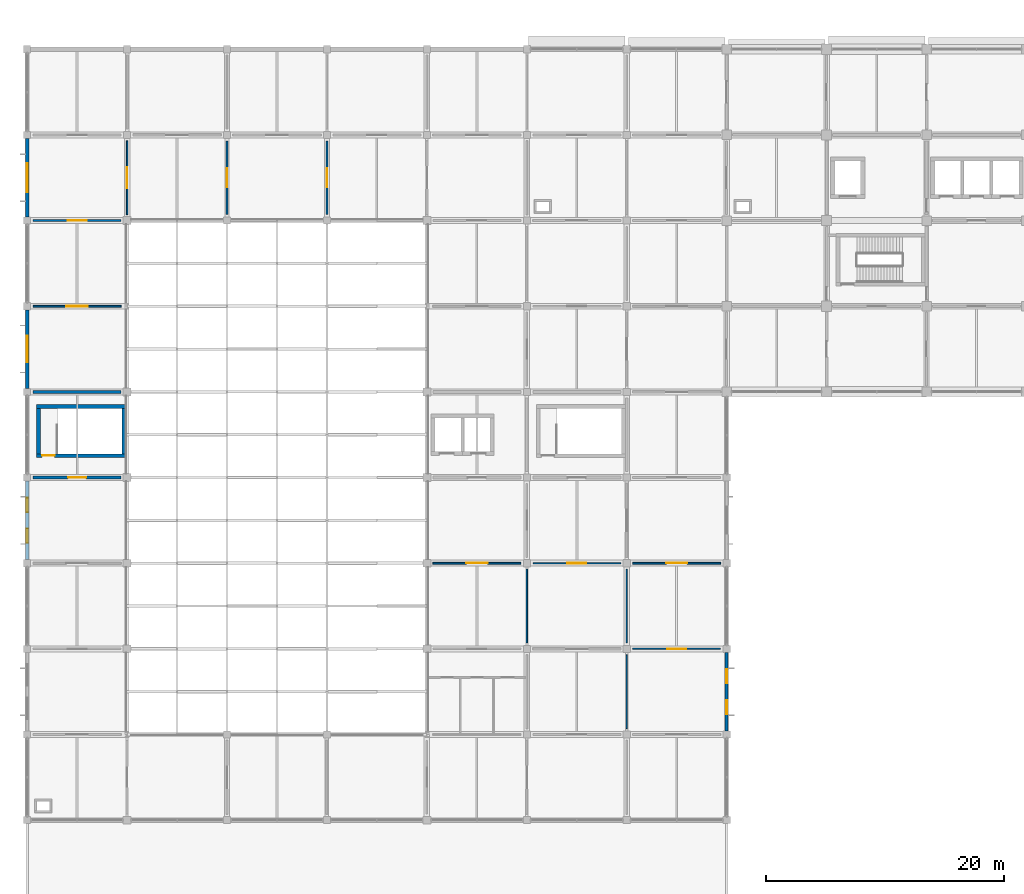
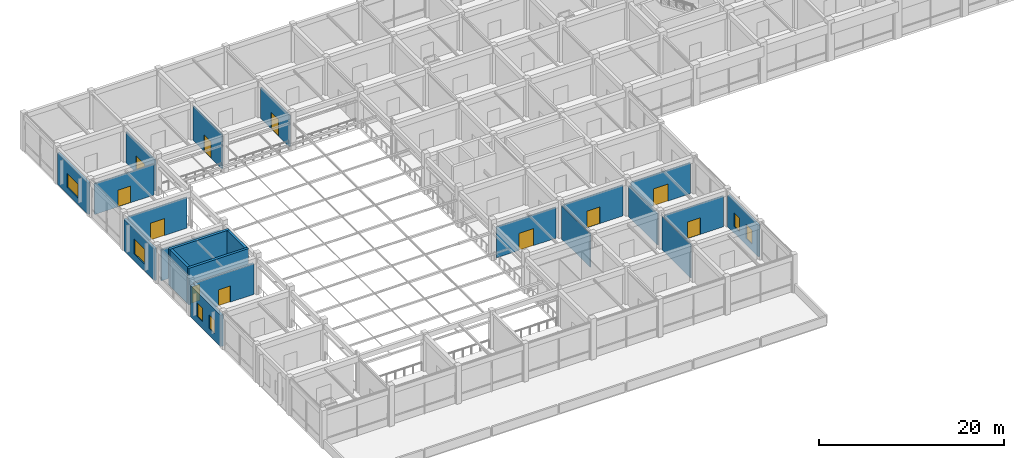
# One storey, part 24 of 38: 22 walls, 11 doors, 6 windows, 17 openings.
"""IFC4 building model written with IfcOpenShell, lengths in metres."""

from ifc_helpers import new_model, si_unit, derived_unit, direction, frame, frame_2d, origin, place, context, subcontext, project, spatial, rectangle, extrude, material, layer, layer_set, type_object, element, fill, save


model = new_model("IFC4")

# Units and contexts
model_context = context("Model", 3, precision=1e-05, world=origin(), true_north=direction((0.0, 1.0)))
body_context = subcontext(model_context, "Body", "Model", "MODEL_VIEW")
ifc_project = project(units=[si_unit("LENGTHUNIT", "METRE"), si_unit("AREAUNIT", "SQUARE_METRE"), si_unit("VOLUMEUNIT", "CUBIC_METRE"), si_unit("PLANEANGLEUNIT", "RADIAN"), si_unit("MASSUNIT", "GRAM", prefix="KILO"), derived_unit("THERMALTRANSMITTANCEUNIT", [(si_unit("MASSUNIT", "GRAM", prefix="KILO"), 1), (si_unit("TIMEUNIT", "SECOND"), -3), (si_unit("THERMODYNAMICTEMPERATUREUNIT", "KELVIN"), -1)])], contexts=[model_context])

# Site, building, storey
site_placement = place(None, origin())
site = spatial("IfcSite", under=ifc_project, at=site_placement, CompositionType="ELEMENT")
building_placement = place(site_placement, origin())
building = spatial("IfcBuilding", under=site, at=building_placement, Name="Veldstrom Oceanarium and Marine Research Institute", CompositionType="ELEMENT")
storey_placement = place(building_placement, frame((0.0, 0.0, 16.800048828125)))
storey = spatial("IfcBuildingStorey", under=building, at=storey_placement, Name="L03", CompositionType="ELEMENT", Elevation=16.800048828125)

# Wall, openings, windows
ifc_material_1 = material(Name="Masonry Cavity Wall", Category="masonry")
ifc_layer_1 = layer(ifc_material_1, 0.31005859375)
ifc_layer_set_1 = layer_set([ifc_layer_1], Name="ARC-WAL-EW1")
wall_type_1 = type_object("IfcWallType", Name="ARC-WAL-EW1", PredefinedType="SOLIDWALL", material=ifc_layer_set_1)
wall_1_placement = place(storey_placement, frame((8.39990234375, 29.10009765625, 0.0), z_axis=(0.0, 0.0, 1.0), x_axis=(0.0, 1.0, 0.0)))
wall_1 = element("IfcWall", 1, at=wall_1_placement, inside=storey, type_object=wall_type_1, Name="Exterior Facade Wall EW1 L03-150", PredefinedType="SOLIDWALL", context=body_context, shape_type="SweptSolid", body=[
    extrude(rectangle(XDim=6.599853515625, YDim=0.31005859375, at=frame_2d((3.2998046875, 0.0))), origin(), (0.0, 0.0, 1.0), 4.169921875),
])
opening_1_placement = place(wall_1_placement, frame((1.39990234375, 0.0, 0.89990234375)))
opening_1 = element("IfcOpeningElement", 2, at=opening_1_placement, cuts=wall_1, Name="Opening W05", PredefinedType="OPENING", context=body_context, shape_type="SweptSolid", body=[
    extrude(rectangle(XDim=1.199951171875, YDim=1.800048828125, at=frame_2d((0.60009765625, 0.89990234375))), frame((0.0, 0.1650390625, 0.0), z_axis=(0.0, -1.0, 0.0), x_axis=(1.0, 0.0, 0.0)), (0.0, 0.0, 1.0), 0.330078125),
])
opening_2_placement = place(wall_1_placement, frame((4.0, 0.0, 0.89990234375)))
opening_2 = element("IfcOpeningElement", 3, at=opening_2_placement, cuts=wall_1, Name="Opening W05", PredefinedType="OPENING", context=body_context, shape_type="SweptSolid", body=[
    extrude(rectangle(XDim=1.199951171875, YDim=1.800048828125, at=frame_2d((0.60009765625, 0.89990234375))), frame((0.0, 0.1650390625, 0.0), z_axis=(0.0, -1.0, 0.0), x_axis=(1.0, 0.0, 0.0)), (0.0, 0.0, 1.0), 0.330078125),
])
ifc_material_2 = material(Name="Double Glazed Low-E IGU", Category="glass")
window_type_1 = type_object("IfcWindowType", Name="ARC-WIN-W05", PartitioningType="SINGLE_PANEL", PredefinedType="WINDOW", material=ifc_material_2)
window_1_placement = place(opening_1_placement, origin())
window_1 = element("IfcWindow", 4, at=window_1_placement, inside=storey, type_object=window_type_1, Name="Facade Window W05 L03-0111", OverallHeight=1.800048828125, OverallWidth=1.199951171875, PartitioningType="SINGLE_PANEL", PredefinedType="WINDOW", context=body_context, shape_type="SweptSolid", body=[
    extrude(rectangle(XDim=1.199951171875, YDim=1.800048828125, at=frame_2d((0.60009765625, 0.89990234375))), frame((0.0, 0.030029296875, 0.0), z_axis=(0.0, -1.0, 0.0), x_axis=(1.0, 0.0, 0.0)), (0.0, 0.0, 1.0), 0.06005859375),
])
fill(opening_1, window_1)
window_2_placement = place(opening_2_placement, origin())
window_2 = element("IfcWindow", 5, at=window_2_placement, inside=storey, type_object=window_type_1, Name="Facade Window W05 L03-0112", OverallHeight=1.800048828125, OverallWidth=1.199951171875, PartitioningType="SINGLE_PANEL", PredefinedType="WINDOW", context=body_context, shape_type="SweptSolid", body=[
    extrude(rectangle(XDim=1.199951171875, YDim=1.800048828125, at=frame_2d((0.60009765625, 0.89990234375))), frame((0.0, 0.030029296875, 0.0), z_axis=(0.0, -1.0, 0.0), x_axis=(1.0, 0.0, 0.0)), (0.0, 0.0, 1.0), 0.06005859375),
])
fill(opening_2, window_2)

# Wall, opening, window
ifc_material_3 = material(Name="Masonry Cavity Wall", Category="masonry")
ifc_layer_2 = layer(ifc_material_3, 0.2900390625)
ifc_layer_set_2 = layer_set([ifc_layer_2], Name="ARC-WAL-EW2")
wall_type_2 = type_object("IfcWallType", Name="ARC-WAL-EW2", PredefinedType="SOLIDWALL", material=ifc_layer_set_2)
wall_2_placement = place(storey_placement, frame((8.39990234375, 43.5, 0.0), z_axis=(0.0, 0.0, 1.0), x_axis=(0.0, 1.0, 0.0)))
wall_2 = element("IfcWall", 6, at=wall_2_placement, inside=storey, type_object=wall_type_2, Name="Exterior Facade Wall EW2 L03-151", PredefinedType="SOLIDWALL", context=body_context, shape_type="SweptSolid", body=[
    extrude(rectangle(XDim=6.60009765625, YDim=0.2900390625, at=frame_2d((3.300048828125, 0.0))), origin(), (0.0, 0.0, 1.0), 4.169921875),
])
opening_3_placement = place(wall_2_placement, frame((2.175048828125, 0.0, 0.89990234375)))
opening_3 = element("IfcOpeningElement", 7, at=opening_3_placement, cuts=wall_2, Name="Opening W21", PredefinedType="OPENING", context=body_context, shape_type="SweptSolid", body=[
    extrude(rectangle(XDim=2.25, YDim=1.949951171875, at=frame_2d((1.125, 0.97509765625))), frame((0.0, 0.155029296875, 0.0), z_axis=(0.0, -1.0, 0.0), x_axis=(1.0, 0.0, 0.0)), (0.0, 0.0, 1.0), 0.31005859375),
])
ifc_material_4 = material(Name="Double Glazed Low-E IGU", Category="glass")
window_type_2 = type_object("IfcWindowType", Name="ARC-WIN-W21", PartitioningType="SINGLE_PANEL", PredefinedType="WINDOW", material=ifc_material_4)
window_3_placement = place(opening_3_placement, origin())
window_3 = element("IfcWindow", 8, at=window_3_placement, inside=storey, type_object=window_type_2, Name="Facade Window W21 L03-0113", OverallHeight=1.949951171875, OverallWidth=2.25, PartitioningType="SINGLE_PANEL", PredefinedType="WINDOW", context=body_context, shape_type="SweptSolid", body=[
    extrude(rectangle(XDim=2.25, YDim=1.949951171875, at=frame_2d((1.125, 0.97509765625))), frame((0.0, 0.030029296875, 0.0), z_axis=(0.0, -1.0, 0.0), x_axis=(1.0, 0.0, 0.0)), (0.0, 0.0, 1.0), 0.06005859375),
])
fill(opening_3, window_3)

ifc_material_5 = material(Name="Masonry Cavity Wall", Category="masonry")
ifc_layer_3 = layer(ifc_material_5, 0.27001953125)
ifc_layer_set_3 = layer_set([ifc_layer_3], Name="ARC-WAL-EW3")
wall_type_3 = type_object("IfcWallType", Name="ARC-WAL-EW3", PredefinedType="SOLIDWALL", material=ifc_layer_set_3)
wall_3_placement = place(storey_placement, frame((8.39990234375, 57.89990234375, 0.0), z_axis=(0.0, 0.0, 1.0), x_axis=(0.0, 1.0, 0.0)))
wall_3 = element("IfcWall", 9, at=wall_3_placement, inside=storey, type_object=wall_type_3, Name="Exterior Facade Wall EW3 L03-152", PredefinedType="SOLIDWALL", context=body_context, shape_type="SweptSolid", body=[
    extrude(rectangle(XDim=6.60009765625, YDim=0.27001953125, at=frame_2d((3.300048828125, 0.0))), origin(), (0.0, 0.0, 1.0), 4.169921875),
])
opening_4_placement = place(wall_3_placement, frame((2.10009765625, 0.0, 0.89990234375)))
opening_4 = element("IfcOpeningElement", 10, at=opening_4_placement, cuts=wall_3, Name="Opening W01", PredefinedType="OPENING", context=body_context, shape_type="SweptSolid", body=[
    extrude(rectangle(XDim=2.39990234375, YDim=1.800048828125, at=frame_2d((1.199951171875, 0.89990234375))), frame((0.0, 0.14501953125, 0.0), z_axis=(0.0, -1.0, 0.0), x_axis=(1.0, 0.0, 0.0)), (0.0, 0.0, 1.0), 0.2900390625),
])
ifc_material_6 = material(Name="Double Glazed Low-E IGU", Category="glass")
window_type_3 = type_object("IfcWindowType", Name="ARC-WIN-W01", PartitioningType="SINGLE_PANEL", PredefinedType="WINDOW", material=ifc_material_6)
window_4_placement = place(opening_4_placement, origin())
window_4 = element("IfcWindow", 11, at=window_4_placement, inside=storey, type_object=window_type_3, Name="Facade Window W01 L03-0114", OverallHeight=1.800048828125, OverallWidth=2.39990234375, PartitioningType="SINGLE_PANEL", PredefinedType="WINDOW", context=body_context, shape_type="SweptSolid", body=[
    extrude(rectangle(XDim=2.39990234375, YDim=1.800048828125, at=frame_2d((1.199951171875, 0.89990234375))), frame((0.0, 0.030029296875, 0.0), z_axis=(0.0, -1.0, 0.0), x_axis=(1.0, 0.0, 0.0)), (0.0, 0.0, 1.0), 0.06005859375),
])
fill(opening_4, window_4)

# Wall, openings, windows
ifc_material_7 = material(Name="Masonry Cavity Wall", Category="masonry")
ifc_layer_4 = layer(ifc_material_7, 0.25)
ifc_layer_set_4 = layer_set([ifc_layer_4], Name="ARC-WAL-EW5")
wall_type_4 = type_object("IfcWallType", Name="ARC-WAL-EW5", PredefinedType="SOLIDWALL", material=ifc_layer_set_4)
wall_4_placement = place(storey_placement, frame((67.199951171875, 14.699951171875, 0.0), z_axis=(0.0, 0.0, 1.0), x_axis=(0.0, 1.0, 0.0)))
wall_4 = element("IfcWall", 12, at=wall_4_placement, inside=storey, type_object=wall_type_4, Name="Exterior Facade Wall EW5 L03-158", PredefinedType="SOLIDWALL", context=body_context, shape_type="SweptSolid", body=[
    extrude(rectangle(XDim=6.60009765625, YDim=0.25, at=frame_2d((3.300048828125, 0.0))), origin(), (0.0, 0.0, 1.0), 4.169921875),
])
opening_5_placement = place(wall_4_placement, frame((1.39990234375, 0.0, 0.89990234375)))
opening_5 = element("IfcOpeningElement", 13, at=opening_5_placement, cuts=wall_4, Name="Opening W05", PredefinedType="OPENING", context=body_context, shape_type="SweptSolid", body=[
    extrude(rectangle(XDim=1.199951171875, YDim=1.800048828125, at=frame_2d((0.60009765625, 0.89990234375))), frame((0.0, 0.135009765625, 0.0), z_axis=(0.0, -1.0, 0.0), x_axis=(1.0, 0.0, 0.0)), (0.0, 0.0, 1.0), 0.27001953125),
])
opening_6_placement = place(wall_4_placement, frame((4.0, 0.0, 0.89990234375)))
opening_6 = element("IfcOpeningElement", 14, at=opening_6_placement, cuts=wall_4, Name="Opening W05", PredefinedType="OPENING", context=body_context, shape_type="SweptSolid", body=[
    extrude(rectangle(XDim=1.199951171875, YDim=1.800048828125, at=frame_2d((0.60009765625, 0.89990234375))), frame((0.0, 0.135009765625, 0.0), z_axis=(0.0, -1.0, 0.0), x_axis=(1.0, 0.0, 0.0)), (0.0, 0.0, 1.0), 0.27001953125),
])
window_5_placement = place(opening_5_placement, origin())
window_5 = element("IfcWindow", 15, at=window_5_placement, inside=storey, type_object=window_type_1, Name="Facade Window W05 L03-0115", OverallHeight=1.800048828125, OverallWidth=1.199951171875, PartitioningType="SINGLE_PANEL", PredefinedType="WINDOW", context=body_context, shape_type="SweptSolid", body=[
    extrude(rectangle(XDim=1.199951171875, YDim=1.800048828125, at=frame_2d((0.60009765625, 0.89990234375))), frame((0.0, 0.030029296875, 0.0), z_axis=(0.0, -1.0, 0.0), x_axis=(1.0, 0.0, 0.0)), (0.0, 0.0, 1.0), 0.06005859375),
])
fill(opening_5, window_5)
window_6_placement = place(opening_6_placement, origin())
window_6 = element("IfcWindow", 16, at=window_6_placement, inside=storey, type_object=window_type_1, Name="Facade Window W05 L03-0116", OverallHeight=1.800048828125, OverallWidth=1.199951171875, PartitioningType="SINGLE_PANEL", PredefinedType="WINDOW", context=body_context, shape_type="SweptSolid", body=[
    extrude(rectangle(XDim=1.199951171875, YDim=1.800048828125, at=frame_2d((0.60009765625, 0.89990234375))), frame((0.0, 0.030029296875, 0.0), z_axis=(0.0, -1.0, 0.0), x_axis=(1.0, 0.0, 0.0)), (0.0, 0.0, 1.0), 0.06005859375),
])
fill(opening_6, window_6)

# Wall, opening, door
ifc_material_8 = material(Name="Masonry Fire Compartment Wall", Category="masonry")
ifc_layer_5 = layer(ifc_material_8, 0.22998046875)
ifc_layer_set_5 = layer_set([ifc_layer_5], Name="ARC-WAL-PT1")
wall_type_5 = type_object("IfcWallType", Name="ARC-WAL-PT1", PredefinedType="PARTITIONING", material=ifc_layer_set_5)
wall_5_placement = place(storey_placement, frame((8.89990234375, 36.0, 0.0), z_axis=(0.0, 0.0, 1.0), x_axis=(1.0, 0.0, 0.0)))
wall_5 = element("IfcWall", 17, at=wall_5_placement, inside=storey, type_object=wall_type_5, Name="Interior Partition PT1 L03-1259", PredefinedType="PARTITIONING", context=body_context, shape_type="SweptSolid", body=[
    extrude(rectangle(XDim=7.400146484375, YDim=0.22998046875, at=frame_2d((3.7001953125, 0.0))), origin(), (0.0, 0.0, 1.0), 4.070068359375),
])
opening_7_placement = place(wall_5_placement, frame((2.949951171875, 0.0, 0.0)))
opening_7 = element("IfcOpeningElement", 18, at=opening_7_placement, cuts=wall_5, Name="Opening D-L03-739", PredefinedType="OPENING", context=body_context, shape_type="SweptSolid", body=[
    extrude(rectangle(XDim=1.5, YDim=2.14990234375, at=frame_2d((0.75, 1.074951171875))), frame((0.0, 0.125, 0.0), z_axis=(0.0, -1.0, 0.0), x_axis=(1.0, 0.0, 0.0)), (0.0, 0.0, 1.0), 0.25),
])
ifc_material_9 = material(Name="Painted Steel Lobby Fire Door", Category="steel")
door_type_1 = type_object("IfcDoorType", Name="ARC-DOR-SD2", OperationType="DOUBLE_DOOR_SINGLE_SWING", PredefinedType="DOOR", material=ifc_material_9)
door_1_placement = place(opening_7_placement, frame((1.5, 0.0, 0.0), z_axis=(0.0, 0.0, 1.0), x_axis=(-1.0, 0.0, 0.0)))
door_1 = element("IfcDoor", 19, at=door_1_placement, inside=storey, type_object=door_type_1, Name="Interior Door D-L03-739", OperationType="DOUBLE_DOOR_SINGLE_SWING", OverallHeight=2.14990234375, OverallWidth=1.5, PredefinedType="DOOR", context=body_context, shape_type="SweptSolid", body=[
    extrude(rectangle(XDim=1.5, YDim=2.14990234375, at=frame_2d((0.75, 1.074951171875))), frame((0.0, 0.02490234375, 0.0), z_axis=(0.0, -1.0, 0.0), x_axis=(1.0, 0.0, 0.0)), (0.0, 0.0, 1.0), 0.050048828125),
])
fill(opening_7, door_1)

# Wall
wall_6_placement = place(storey_placement, frame((8.89990234375, 43.199951171875, 0.0), z_axis=(0.0, 0.0, 1.0), x_axis=(1.0, 0.0, 0.0)))
element("IfcWall", 20, at=wall_6_placement, inside=storey, type_object=wall_type_5, Name="Interior Partition PT1 L03-1260", PredefinedType="PARTITIONING", context=body_context, shape_type="SweptSolid", body=[
    extrude(rectangle(XDim=7.400146484375, YDim=0.22998046875, at=frame_2d((3.7001953125, 0.0))), origin(), (0.0, 0.0, 1.0), 4.070068359375),
])

# Wall, opening, door
ifc_material_10 = material(Name="Drywall Corridor Partition", Category="gypsum")
ifc_layer_6 = layer(ifc_material_10, 0.155029296875)
ifc_layer_set_6 = layer_set([ifc_layer_6], Name="ARC-WAL-PT4")
wall_type_6 = type_object("IfcWallType", Name="ARC-WAL-PT4", PredefinedType="PARTITIONING", material=ifc_layer_set_6)
wall_7_placement = place(storey_placement, frame((8.89990234375, 57.60009765625, 0.0), z_axis=(0.0, 0.0, 1.0), x_axis=(1.0, 0.0, 0.0)))
wall_7 = element("IfcWall", 21, at=wall_7_placement, inside=storey, type_object=wall_type_6, Name="Interior Partition PT4 L03-1262", PredefinedType="PARTITIONING", context=body_context, shape_type="SweptSolid", body=[
    extrude(rectangle(XDim=7.400146484375, YDim=0.155029296875, at=frame_2d((3.7001953125, 0.0))), origin(), (0.0, 0.0, 1.0), 4.070068359375),
])
opening_8_placement = place(wall_7_placement, frame((2.89990234375, 0.0, 0.0)))
opening_8 = element("IfcOpeningElement", 22, at=opening_8_placement, cuts=wall_7, Name="Opening D-L03-741", PredefinedType="OPENING", context=body_context, shape_type="SweptSolid", body=[
    extrude(rectangle(XDim=1.60009765625, YDim=2.199951171875, at=frame_2d((0.800048828125, 1.10009765625))), frame((0.0, 0.08740234375, 0.0), z_axis=(0.0, -1.0, 0.0), x_axis=(1.0, 0.0, 0.0)), (0.0, 0.0, 1.0), 0.175048828125),
])
ifc_material_11 = material(Name="Acoustic Timber Corridor Door", Category="wood")
door_type_2 = type_object("IfcDoorType", Name="ARC-DOR-ID02", OperationType="DOUBLE_DOOR_SINGLE_SWING", PredefinedType="DOOR", material=ifc_material_11)
door_2_placement = place(opening_8_placement, frame((1.60009765625, 0.0, 0.0), z_axis=(0.0, 0.0, 1.0), x_axis=(-1.0, 0.0, 0.0)))
door_2 = element("IfcDoor", 23, at=door_2_placement, inside=storey, type_object=door_type_2, Name="Interior Door D-L03-741", OperationType="DOUBLE_DOOR_SINGLE_SWING", OverallHeight=2.199951171875, OverallWidth=1.60009765625, PredefinedType="DOOR", context=body_context, shape_type="SweptSolid", body=[
    extrude(rectangle(XDim=1.60009765625, YDim=2.199951171875, at=frame_2d((0.800048828125, 1.10009765625))), frame((0.0, 0.02490234375, 0.0), z_axis=(0.0, -1.0, 0.0), x_axis=(1.0, 0.0, 0.0)), (0.0, 0.0, 1.0), 0.050048828125),
])
fill(opening_8, door_2)

wall_8_placement = place(storey_placement, frame((25.199951171875, 58.10009765625, 0.0), z_axis=(0.0, 0.0, 1.0), x_axis=(0.0, 1.0, 0.0)))
wall_8 = element("IfcWall", 24, at=wall_8_placement, inside=storey, type_object=wall_type_6, Name="Interior Partition PT4 L03-1267", PredefinedType="PARTITIONING", context=body_context, shape_type="SweptSolid", body=[
    extrude(rectangle(XDim=6.199951171875, YDim=0.155029296875, at=frame_2d((3.10009765625, 0.0))), origin(), (0.0, 0.0, 1.0), 4.530029296875),
])
opening_9_placement = place(wall_8_placement, frame((2.300048828125, 0.0, 0.0)))
opening_9 = element("IfcOpeningElement", 25, at=opening_9_placement, cuts=wall_8, Name="Opening D-L03-745", PredefinedType="OPENING", context=body_context, shape_type="SweptSolid", body=[
    extrude(rectangle(XDim=1.60009765625, YDim=2.199951171875, at=frame_2d((0.800048828125, 1.10009765625))), frame((0.0, 0.08740234375, 0.0), z_axis=(0.0, -1.0, 0.0), x_axis=(1.0, 0.0, 0.0)), (0.0, 0.0, 1.0), 0.175048828125),
])
door_3_placement = place(opening_9_placement, origin())
door_3 = element("IfcDoor", 26, at=door_3_placement, inside=storey, type_object=door_type_2, Name="Interior Door D-L03-745", OperationType="DOUBLE_DOOR_SINGLE_SWING", OverallHeight=2.199951171875, OverallWidth=1.60009765625, PredefinedType="DOOR", context=body_context, shape_type="SweptSolid", body=[
    extrude(rectangle(XDim=1.60009765625, YDim=2.199951171875, at=frame_2d((0.800048828125, 1.10009765625))), frame((0.0, 0.02490234375, 0.0), z_axis=(0.0, -1.0, 0.0), x_axis=(1.0, 0.0, 0.0)), (0.0, 0.0, 1.0), 0.050048828125),
])
fill(opening_9, door_3)

wall_9_placement = place(storey_placement, frame((42.5, 28.800048828125, 0.0), z_axis=(0.0, 0.0, 1.0), x_axis=(1.0, 0.0, 0.0)))
wall_9 = element("IfcWall", 27, at=wall_9_placement, inside=storey, type_object=wall_type_6, Name="Interior Partition PT4 L03-1283", PredefinedType="PARTITIONING", context=body_context, shape_type="SweptSolid", body=[
    extrude(rectangle(XDim=7.39990234375, YDim=0.155029296875, at=frame_2d((3.699951171875, 0.0))), origin(), (0.0, 0.0, 1.0), 4.070068359375),
])
opening_10_placement = place(wall_9_placement, frame((2.800048828125, 0.0, 0.0)))
opening_10 = element("IfcOpeningElement", 28, at=opening_10_placement, cuts=wall_9, Name="Opening D-L03-754", PredefinedType="OPENING", context=body_context, shape_type="SweptSolid", body=[
    extrude(rectangle(XDim=1.800048828125, YDim=2.25, at=frame_2d((0.89990234375, 1.125))), frame((0.0, 0.08740234375, 0.0), z_axis=(0.0, -1.0, 0.0), x_axis=(1.0, 0.0, 0.0)), (0.0, 0.0, 1.0), 0.175048828125),
])
ifc_material_12 = material(Name="Acoustic Timber Gallery Door", Category="wood")
door_type_3 = type_object("IfcDoorType", Name="ARC-DOR-ID01", OperationType="DOUBLE_DOOR_SINGLE_SWING", PredefinedType="DOOR", material=ifc_material_12)
door_4_placement = place(opening_10_placement, frame((1.800048828125, 0.0, 0.0), z_axis=(0.0, 0.0, 1.0), x_axis=(-1.0, 0.0, 0.0)))
door_4 = element("IfcDoor", 29, at=door_4_placement, inside=storey, type_object=door_type_3, Name="Interior Door D-L03-754", OperationType="DOUBLE_DOOR_SINGLE_SWING", OverallHeight=2.25, OverallWidth=1.800048828125, PredefinedType="DOOR", context=body_context, shape_type="SweptSolid", body=[
    extrude(rectangle(XDim=1.800048828125, YDim=2.25, at=frame_2d((0.89990234375, 1.125))), frame((0.0, 0.02490234375, 0.0), z_axis=(0.0, -1.0, 0.0), x_axis=(1.0, 0.0, 0.0)), (0.0, 0.0, 1.0), 0.050048828125),
])
fill(opening_10, door_4)

wall_10_placement = place(storey_placement, frame((59.300048828125, 28.800048828125, 0.0), z_axis=(0.0, 0.0, 1.0), x_axis=(1.0, 0.0, 0.0)))
wall_10 = element("IfcWall", 30, at=wall_10_placement, inside=storey, type_object=wall_type_6, Name="Interior Partition PT4 L03-1314", PredefinedType="PARTITIONING", context=body_context, shape_type="SweptSolid", body=[
    extrude(rectangle(XDim=7.39990234375, YDim=0.155029296875, at=frame_2d((3.699951171875, 0.0))), origin(), (0.0, 0.0, 1.0), 4.070068359375),
])
opening_11_placement = place(wall_10_placement, frame((2.800048828125, 0.0, 0.0)))
opening_11 = element("IfcOpeningElement", 31, at=opening_11_placement, cuts=wall_10, Name="Opening D-L03-772", PredefinedType="OPENING", context=body_context, shape_type="SweptSolid", body=[
    extrude(rectangle(XDim=1.800048828125, YDim=2.25, at=frame_2d((0.89990234375, 1.125))), frame((0.0, 0.08740234375, 0.0), z_axis=(0.0, -1.0, 0.0), x_axis=(1.0, 0.0, 0.0)), (0.0, 0.0, 1.0), 0.175048828125),
])
door_5_placement = place(opening_11_placement, frame((1.800048828125, 0.0, 0.0), z_axis=(0.0, 0.0, 1.0), x_axis=(-1.0, 0.0, 0.0)))
door_5 = element("IfcDoor", 32, at=door_5_placement, inside=storey, type_object=door_type_3, Name="Interior Door D-L03-772", OperationType="DOUBLE_DOOR_SINGLE_SWING", OverallHeight=2.25, OverallWidth=1.800048828125, PredefinedType="DOOR", context=body_context, shape_type="SweptSolid", body=[
    extrude(rectangle(XDim=1.800048828125, YDim=2.25, at=frame_2d((0.89990234375, 1.125))), frame((0.0, 0.02490234375, 0.0), z_axis=(0.0, -1.0, 0.0), x_axis=(1.0, 0.0, 0.0)), (0.0, 0.0, 1.0), 0.050048828125),
])
fill(opening_11, door_5)

ifc_material_13 = material(Name="Moisture-Resistant Wet-Area Partition", Category="masonry")
ifc_layer_7 = layer(ifc_material_13, 0.139892578125)
ifc_layer_set_7 = layer_set([ifc_layer_7], Name="ARC-WAL-PT5")
wall_type_7 = type_object("IfcWallType", Name="ARC-WAL-PT5", PredefinedType="PARTITIONING", material=ifc_layer_set_7)
wall_11_placement = place(storey_placement, frame((8.89990234375, 50.39990234375, 0.0), z_axis=(0.0, 0.0, 1.0), x_axis=(1.0, 0.0, 0.0)))
wall_11 = element("IfcWall", 33, at=wall_11_placement, inside=storey, type_object=wall_type_7, Name="Interior Partition PT5 L03-1261", PredefinedType="PARTITIONING", context=body_context, shape_type="SweptSolid", body=[
    extrude(rectangle(XDim=7.400146484375, YDim=0.139892578125, at=frame_2d((3.7001953125, 0.0))), origin(), (0.0, 0.0, 1.0), 4.070068359375),
])
opening_12_placement = place(wall_11_placement, frame((2.800048828125, 0.0, 0.0)))
opening_12 = element("IfcOpeningElement", 34, at=opening_12_placement, cuts=wall_11, Name="Opening D-L03-740", PredefinedType="OPENING", context=body_context, shape_type="SweptSolid", body=[
    extrude(rectangle(XDim=1.800048828125, YDim=2.25, at=frame_2d((0.89990234375, 1.125))), frame((0.0, 0.079833984375, 0.0), z_axis=(0.0, -1.0, 0.0), x_axis=(1.0, 0.0, 0.0)), (0.0, 0.0, 1.0), 0.159912109375),
])
door_6_placement = place(opening_12_placement, origin())
door_6 = element("IfcDoor", 35, at=door_6_placement, inside=storey, type_object=door_type_3, Name="Interior Door D-L03-740", OperationType="DOUBLE_DOOR_SINGLE_SWING", OverallHeight=2.25, OverallWidth=1.800048828125, PredefinedType="DOOR", context=body_context, shape_type="SweptSolid", body=[
    extrude(rectangle(XDim=1.800048828125, YDim=2.25, at=frame_2d((0.89990234375, 1.125))), frame((0.0, 0.02490234375, 0.0), z_axis=(0.0, -1.0, 0.0), x_axis=(1.0, 0.0, 0.0)), (0.0, 0.0, 1.0), 0.050048828125),
])
fill(opening_12, door_6)

wall_12_placement = place(storey_placement, frame((16.800048828125, 58.10009765625, 0.0), z_axis=(0.0, 0.0, 1.0), x_axis=(0.0, 1.0, 0.0)))
wall_12 = element("IfcWall", 36, at=wall_12_placement, inside=storey, type_object=wall_type_7, Name="Interior Partition PT5 L03-1263", PredefinedType="PARTITIONING", context=body_context, shape_type="SweptSolid", body=[
    extrude(rectangle(XDim=6.199951171875, YDim=0.139892578125, at=frame_2d((3.10009765625, 0.0))), origin(), (0.0, 0.0, 1.0), 4.119873046875),
])
opening_13_placement = place(wall_12_placement, frame((2.199951171875, 0.0, 0.0)))
opening_13 = element("IfcOpeningElement", 37, at=opening_13_placement, cuts=wall_12, Name="Opening D-L03-742", PredefinedType="OPENING", context=body_context, shape_type="SweptSolid", body=[
    extrude(rectangle(XDim=1.800048828125, YDim=2.25, at=frame_2d((0.89990234375, 1.125))), frame((0.0, 0.079833984375, 0.0), z_axis=(0.0, -1.0, 0.0), x_axis=(1.0, 0.0, 0.0)), (0.0, 0.0, 1.0), 0.159912109375),
])
door_7_placement = place(opening_13_placement, frame((1.800048828125, 0.0, 0.0), z_axis=(0.0, 0.0, 1.0), x_axis=(-1.0, 0.0, 0.0)))
door_7 = element("IfcDoor", 38, at=door_7_placement, inside=storey, type_object=door_type_3, Name="Interior Door D-L03-742", OperationType="DOUBLE_DOOR_SINGLE_SWING", OverallHeight=2.25, OverallWidth=1.800048828125, PredefinedType="DOOR", context=body_context, shape_type="SweptSolid", body=[
    extrude(rectangle(XDim=1.800048828125, YDim=2.25, at=frame_2d((0.89990234375, 1.125))), frame((0.0, 0.02490234375, 0.0), z_axis=(0.0, -1.0, 0.0), x_axis=(1.0, 0.0, 0.0)), (0.0, 0.0, 1.0), 0.050048828125),
])
fill(opening_13, door_7)

wall_13_placement = place(storey_placement, frame((33.60009765625, 58.10009765625, 0.0), z_axis=(0.0, 0.0, 1.0), x_axis=(0.0, 1.0, 0.0)))
wall_13 = element("IfcWall", 39, at=wall_13_placement, inside=storey, type_object=wall_type_7, Name="Interior Partition PT5 L03-1271", PredefinedType="PARTITIONING", context=body_context, shape_type="SweptSolid", body=[
    extrude(rectangle(XDim=6.199951171875, YDim=0.139892578125, at=frame_2d((3.10009765625, 0.0))), origin(), (0.0, 0.0, 1.0), 4.119873046875),
])
opening_14_placement = place(wall_13_placement, frame((2.300048828125, 0.0, 0.0)))
opening_14 = element("IfcOpeningElement", 40, at=opening_14_placement, cuts=wall_13, Name="Opening D-L03-747", PredefinedType="OPENING", context=body_context, shape_type="SweptSolid", body=[
    extrude(rectangle(XDim=1.60009765625, YDim=2.199951171875, at=frame_2d((0.800048828125, 1.10009765625))), frame((0.0, 0.079833984375, 0.0), z_axis=(0.0, -1.0, 0.0), x_axis=(1.0, 0.0, 0.0)), (0.0, 0.0, 1.0), 0.159912109375),
])
door_8_placement = place(opening_14_placement, frame((1.60009765625, 0.0, 0.0), z_axis=(0.0, 0.0, 1.0), x_axis=(-1.0, 0.0, 0.0)))
door_8 = element("IfcDoor", 41, at=door_8_placement, inside=storey, type_object=door_type_2, Name="Interior Door D-L03-747", OperationType="DOUBLE_DOOR_SINGLE_SWING", OverallHeight=2.199951171875, OverallWidth=1.60009765625, PredefinedType="DOOR", context=body_context, shape_type="SweptSolid", body=[
    extrude(rectangle(XDim=1.60009765625, YDim=2.199951171875, at=frame_2d((0.800048828125, 1.10009765625))), frame((0.0, 0.02490234375, 0.0), z_axis=(0.0, -1.0, 0.0), x_axis=(1.0, 0.0, 0.0)), (0.0, 0.0, 1.0), 0.050048828125),
])
fill(opening_14, door_8)

wall_14_placement = place(storey_placement, frame((50.89990234375, 28.800048828125, 0.0), z_axis=(0.0, 0.0, 1.0), x_axis=(1.0, 0.0, 0.0)))
wall_14 = element("IfcWall", 42, at=wall_14_placement, inside=storey, type_object=wall_type_7, Name="Interior Partition PT5 L03-1300", PredefinedType="PARTITIONING", context=body_context, shape_type="SweptSolid", body=[
    extrude(rectangle(XDim=7.400146484375, YDim=0.139892578125, at=frame_2d((3.7001953125, 0.0))), origin(), (0.0, 0.0, 1.0), 4.070068359375),
])
opening_15_placement = place(wall_14_placement, frame((2.89990234375, 0.0, 0.0)))
opening_15 = element("IfcOpeningElement", 43, at=opening_15_placement, cuts=wall_14, Name="Opening D-L03-763", PredefinedType="OPENING", context=body_context, shape_type="SweptSolid", body=[
    extrude(rectangle(XDim=1.60009765625, YDim=2.199951171875, at=frame_2d((0.800048828125, 1.10009765625))), frame((0.0, 0.079833984375, 0.0), z_axis=(0.0, -1.0, 0.0), x_axis=(1.0, 0.0, 0.0)), (0.0, 0.0, 1.0), 0.159912109375),
])
door_9_placement = place(opening_15_placement, origin())
door_9 = element("IfcDoor", 44, at=door_9_placement, inside=storey, type_object=door_type_2, Name="Interior Door D-L03-763", OperationType="DOUBLE_DOOR_SINGLE_SWING", OverallHeight=2.199951171875, OverallWidth=1.60009765625, PredefinedType="DOOR", context=body_context, shape_type="SweptSolid", body=[
    extrude(rectangle(XDim=1.60009765625, YDim=2.199951171875, at=frame_2d((0.800048828125, 1.10009765625))), frame((0.0, 0.02490234375, 0.0), z_axis=(0.0, -1.0, 0.0), x_axis=(1.0, 0.0, 0.0)), (0.0, 0.0, 1.0), 0.050048828125),
])
fill(opening_15, door_9)

wall_15_placement = place(storey_placement, frame((59.300048828125, 21.60009765625, 0.0), z_axis=(0.0, 0.0, 1.0), x_axis=(1.0, 0.0, 0.0)))
wall_15 = element("IfcWall", 45, at=wall_15_placement, inside=storey, type_object=wall_type_7, Name="Interior Partition PT5 L03-1313", PredefinedType="PARTITIONING", context=body_context, shape_type="SweptSolid", body=[
    extrude(rectangle(XDim=7.39990234375, YDim=0.139892578125, at=frame_2d((3.699951171875, 0.0))), origin(), (0.0, 0.0, 1.0), 4.070068359375),
])
opening_16_placement = place(wall_15_placement, frame((2.89990234375, 0.0, 0.0)))
opening_16 = element("IfcOpeningElement", 46, at=opening_16_placement, cuts=wall_15, Name="Opening D-L03-771", PredefinedType="OPENING", context=body_context, shape_type="SweptSolid", body=[
    extrude(rectangle(XDim=1.60009765625, YDim=2.199951171875, at=frame_2d((0.800048828125, 1.10009765625))), frame((0.0, 0.079833984375, 0.0), z_axis=(0.0, -1.0, 0.0), x_axis=(1.0, 0.0, 0.0)), (0.0, 0.0, 1.0), 0.159912109375),
])
door_10_placement = place(opening_16_placement, origin())
door_10 = element("IfcDoor", 47, at=door_10_placement, inside=storey, type_object=door_type_2, Name="Interior Door D-L03-771", OperationType="DOUBLE_DOOR_SINGLE_SWING", OverallHeight=2.199951171875, OverallWidth=1.60009765625, PredefinedType="DOOR", context=body_context, shape_type="SweptSolid", body=[
    extrude(rectangle(XDim=1.60009765625, YDim=2.199951171875, at=frame_2d((0.800048828125, 1.10009765625))), frame((0.0, 0.02490234375, 0.0), z_axis=(0.0, -1.0, 0.0), x_axis=(1.0, 0.0, 0.0)), (0.0, 0.0, 1.0), 0.050048828125),
])
fill(opening_16, door_10)

# Walls
ifc_material_14 = material(Name="Lightweight Studio Partition", Category="gypsum")
ifc_layer_8 = layer(ifc_material_14, 0.1201171875)
ifc_layer_set_8 = layer_set([ifc_layer_8], Name="ARC-WAL-PT6")
wall_type_8 = type_object("IfcWallType", Name="ARC-WAL-PT6", PredefinedType="PARTITIONING", material=ifc_layer_set_8)
wall_16_placement = place(storey_placement, frame((50.39990234375, 22.10009765625, 0.0), z_axis=(0.0, 0.0, 1.0), x_axis=(0.0, 1.0, 0.0)))
element("IfcWall", 48, at=wall_16_placement, inside=storey, type_object=wall_type_8, Name="Interior Partition PT6 L03-1282", PredefinedType="PARTITIONING", context=body_context, shape_type="SweptSolid", body=[
    extrude(rectangle(XDim=6.199951171875, YDim=0.1201171875, at=frame_2d((3.10009765625, 0.0))), origin(), (0.0, 0.0, 1.0), 4.419921875),
])
wall_17_placement = place(storey_placement, frame((58.800048828125, 14.89990234375, 0.0), z_axis=(0.0, 0.0, 1.0), x_axis=(0.0, 1.0, 0.0)))
element("IfcWall", 49, at=wall_17_placement, inside=storey, type_object=wall_type_8, Name="Interior Partition PT6 L03-1297", PredefinedType="PARTITIONING", context=body_context, shape_type="SweptSolid", body=[
    extrude(rectangle(XDim=6.2001953125, YDim=0.1201171875, at=frame_2d((3.10009765625, 0.0))), origin(), (0.0, 0.0, 1.0), 4.419921875),
])
wall_18_placement = place(storey_placement, frame((58.800048828125, 22.10009765625, 0.0), z_axis=(0.0, 0.0, 1.0), x_axis=(0.0, 1.0, 0.0)))
element("IfcWall", 50, at=wall_18_placement, inside=storey, type_object=wall_type_8, Name="Interior Partition PT6 L03-1299", PredefinedType="PARTITIONING", context=body_context, shape_type="SweptSolid", body=[
    extrude(rectangle(XDim=6.199951171875, YDim=0.1201171875, at=frame_2d((3.10009765625, 0.0))), origin(), (0.0, 0.0, 1.0), 4.119873046875),
])

# Wall, opening, door
ifc_material_15 = material(Name="Concrete C40/50", Category="concrete")
ifc_layer_9 = layer(ifc_material_15, 0.320068359375)
ifc_layer_set_9 = layer_set([ifc_layer_9], Name="STR-WAL-WC3")
wall_type_9 = type_object("IfcWallType", Name="STR-WAL-WC3", PredefinedType="SHEAR", material=ifc_layer_set_9)
wall_19_placement = place(storey_placement, frame((9.199951171875, 37.840087890625, 0.0), z_axis=(0.0, 0.0, 1.0), x_axis=(1.0, 0.0, 0.0)))
wall_19 = element("IfcWall", 51, at=wall_19_placement, inside=storey, type_object=wall_type_9, Name="Stair Core Shear Wall SC3-L03-S", PredefinedType="SHEAR", context=body_context, shape_type="SweptSolid", body=[
    extrude(rectangle(XDim=7.47998046875, YDim=0.320068359375, at=frame_2d((3.739990234375, 0.0))), origin(), (0.0, 0.0, 1.0), 4.824951171875),
])
opening_17_placement = place(wall_19_placement, frame((0.449951171875, 0.0, 0.0)))
opening_17 = element("IfcOpeningElement", 52, at=opening_17_placement, cuts=wall_19, Name="Opening D-ST3-L03", PredefinedType="OPENING", context=body_context, shape_type="SweptSolid", body=[
    extrude(rectangle(XDim=1.050048828125, YDim=2.14990234375, at=frame_2d((0.52490234375, 1.074951171875))), frame((0.0, 0.169921875, 0.0), z_axis=(0.0, -1.0, 0.0), x_axis=(1.0, 0.0, 0.0)), (0.0, 0.0, 1.0), 0.340087890625),
])
ifc_material_16 = material(Name="Painted Steel Fire Door", Category="steel")
door_type_4 = type_object("IfcDoorType", Name="ARC-DOR-SD1", OperationType="SINGLE_SWING_LEFT", PredefinedType="DOOR", material=ifc_material_16)
door_11_placement = place(opening_17_placement, origin())
door_11 = element("IfcDoor", 53, at=door_11_placement, inside=storey, type_object=door_type_4, Name="Escape Stair Fire Door D-ST3-L03", OperationType="SINGLE_SWING_LEFT", OverallHeight=2.14990234375, OverallWidth=1.050048828125, PredefinedType="DOOR", context=body_context, shape_type="SweptSolid", body=[
    extrude(rectangle(XDim=1.050048828125, YDim=2.14990234375, at=frame_2d((0.52490234375, 1.074951171875))), frame((0.0, 0.02490234375, 0.0), z_axis=(0.0, -1.0, 0.0), x_axis=(1.0, 0.0, 0.0)), (0.0, 0.0, 1.0), 0.050048828125),
])
fill(opening_17, door_11)

# Walls
wall_20_placement = place(storey_placement, frame((9.199951171875, 41.9599609375, 0.0), z_axis=(0.0, 0.0, 1.0), x_axis=(1.0, 0.0, 0.0)))
element("IfcWall", 54, at=wall_20_placement, inside=storey, type_object=wall_type_9, Name="Stair Core Shear Wall SC3-L03-N", PredefinedType="SHEAR", context=body_context, shape_type="SweptSolid", body=[
    extrude(rectangle(XDim=7.47998046875, YDim=0.320068359375, at=frame_2d((3.739990234375, 0.0))), origin(), (0.0, 0.0, 1.0), 4.824951171875),
])
for number, where, z_axis, x_axis, name in (
    (55, (9.360107421875, 38.0, 0.0), (0.0, 0.0, 1.0), (0.0, 1.0, 0.0), "Stair Core Shear Wall SC3-L03-W"),
    (56, (16.52001953125, 38.0, 0.0), (0.0, 0.0, 1.0), (0.0, 1.0, 0.0), "Stair Core Shear Wall SC3-L03-E"),
):
    element("IfcWall", number, at=place(storey_placement, frame(where, z_axis=z_axis, x_axis=x_axis)), inside=storey, type_object=wall_type_9, Name=name, PredefinedType="SHEAR", context=body_context, shape_type="SweptSolid", body=[
        extrude(rectangle(XDim=3.800048828125, YDim=0.320068359375, at=frame_2d((1.89990234375, 0.0))), origin(), (0.0, 0.0, 1.0), 4.824951171875),
    ])

save(model, "model.ifc")
